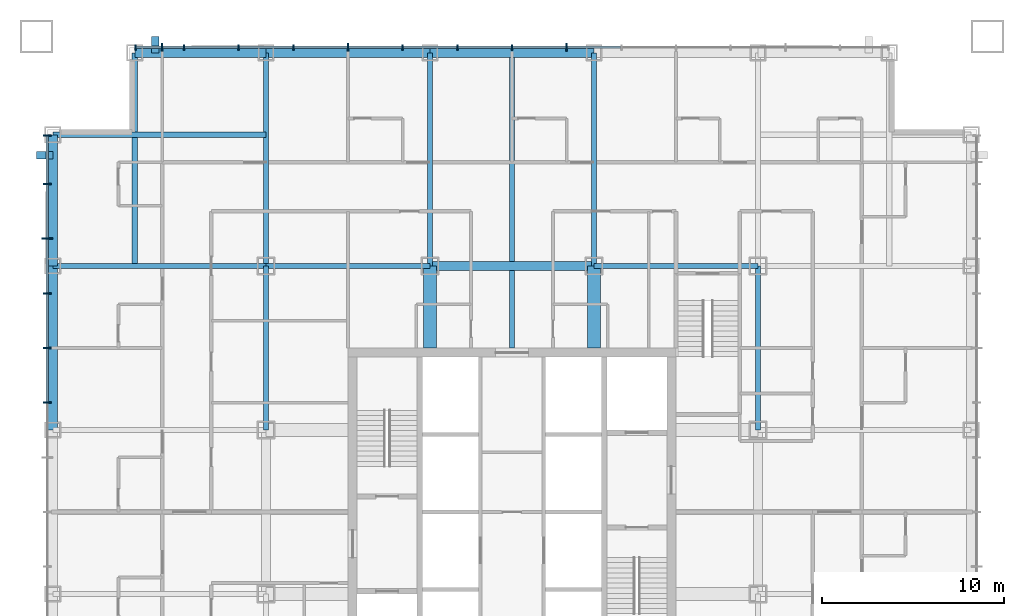
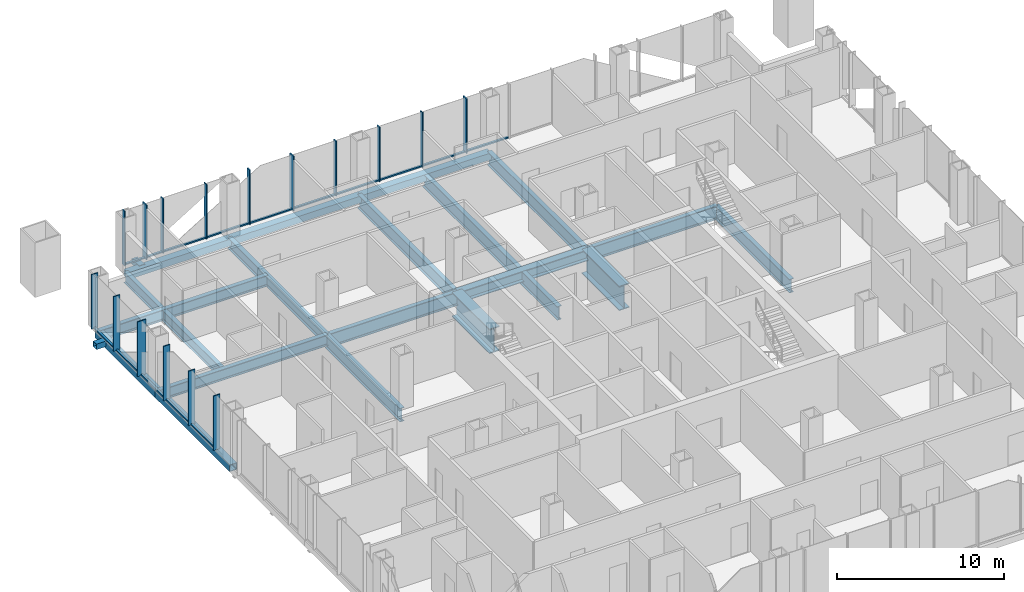
# One storey, part 4 of 13: 33 members, 19 beams, 2 elements without a shape of their own.
"""IFC4 building model written with IfcOpenShell, lengths in metres."""

from ifc_helpers import new_model, si_unit, direction, frame, origin, origin_2d, place, context, subcontext, project, spatial, rectangle, hollow_rectangle, i_section, extrude, material, layer, layer_set, material_profile, profile_set, type_object, element, aggregate, save


model = new_model("IFC4")

# Units and contexts
model_context = context("Model", 3, precision=1e-05, world=origin(), true_north=direction((0.0, 1.0)))
body_context = subcontext(model_context, "Body", "Model", "MODEL_VIEW")
ifc_project = project(units=[si_unit("LENGTHUNIT", "METRE"), si_unit("AREAUNIT", "SQUARE_METRE"), si_unit("VOLUMEUNIT", "CUBIC_METRE"), si_unit("PLANEANGLEUNIT", "RADIAN"), si_unit("MASSUNIT", "GRAM", prefix="KILO")], contexts=[model_context])

# Site, building, storey
site_placement = place(None, origin())
site = spatial("IfcSite", under=ifc_project, at=site_placement, CompositionType="ELEMENT")
building_placement = place(site_placement, origin())
building = spatial("IfcBuilding", under=site, at=building_placement, Name="Malebo Sky Hospital", CompositionType="ELEMENT")
storey_placement = place(building_placement, frame((0.0, 0.0, 67.0)))
storey = spatial("IfcBuildingStorey", under=building, at=storey_placement, Name="L15", CompositionType="ELEMENT", Elevation=67.0)

# Curtain wall, members
ifc_material_1 = material(Name="Anodised aluminium, natural silver", Category="aluminium")
ifc_layer_1 = layer(ifc_material_1, 0.25)
ifc_layer_set_1 = layer_set([ifc_layer_1], Name="WARD CURTAIN WALL NORTH AND SOUTH")
curtain_wall_type_1 = type_object("IfcCurtainWallType", Name="WARD CURTAIN WALL NORTH AND SOUTH", PredefinedType="NOTDEFINED", material=ifc_layer_set_1)
curtain_wall_1_placement = place(storey_placement, origin())
curtain_wall_1 = element("IfcCurtainWall", 1, at=curtain_wall_1_placement, inside=storey, type_object=curtain_wall_type_1, Name="NS curtain wall N", PredefinedType="NOTDEFINED")
ifc_material_profile_1 = material_profile(ifc_material_1, rectangle(XDim=0.14990234375, YDim=0.10009765625, at=origin_2d()), Name="ALUMINIUM TRANSOM 150x100")
ifc_profile_set_1 = profile_set([ifc_material_profile_1], Name="Anodised aluminium, natural silver")
member_type_1 = type_object("IfcMemberType", Name="ALUMINIUM TRANSOM 150x100", PredefinedType="USERDEFINED", material=ifc_profile_set_1)
member_1_placement = place(storey_placement, frame((39.375, 87.5, 0.050048828125), z_axis=(1.0, 0.0, 0.0), x_axis=(0.0, 1.0, 0.0)))
member_1 = element("IfcMember", 2, at=member_1_placement, type_object=member_type_1, Name="Transom 1", ObjectType="TRANSOM", PredefinedType="USERDEFINED", context=body_context, shape_type="SweptSolid", body=[
    extrude(rectangle(XDim=0.14990234375, YDim=0.10009765625, at=origin_2d()), origin(), (0.0, 0.0, 1.0), 1.387451171875),
])
member_2_placement = place(storey_placement, frame((40.83740234375, 87.5, 0.050048828125), z_axis=(1.0, 0.0, 0.0), x_axis=(0.0, 1.0, 0.0)))
member_2 = element("IfcMember", 3, at=member_2_placement, type_object=member_type_1, Name="Transom 2", ObjectType="TRANSOM", PredefinedType="USERDEFINED", context=body_context, shape_type="SweptSolid", body=[
    extrude(rectangle(XDim=0.14990234375, YDim=0.10009765625, at=origin_2d()), origin(), (0.0, 0.0, 1.0), 1.125),
])
member_3_placement = place(storey_placement, frame((42.03759765625, 87.5, 0.050048828125), z_axis=(1.0, 0.0, 0.0), x_axis=(0.0, 1.0, 0.0)))
member_3 = element("IfcMember", 4, at=member_3_placement, type_object=member_type_1, Name="Transom 3", ObjectType="TRANSOM", PredefinedType="USERDEFINED", context=body_context, shape_type="SweptSolid", body=[
    extrude(rectangle(XDim=0.14990234375, YDim=0.10009765625, at=origin_2d()), origin(), (0.0, 0.0, 1.0), 2.9248046875),
])
member_4_placement = place(storey_placement, frame((45.03759765625, 87.5, 0.050048828125), z_axis=(1.0, 0.0, 0.0), x_axis=(0.0, 1.0, 0.0)))
member_4 = element("IfcMember", 5, at=member_4_placement, type_object=member_type_1, Name="Transom 4", ObjectType="TRANSOM", PredefinedType="USERDEFINED", context=body_context, shape_type="SweptSolid", body=[
    extrude(rectangle(XDim=0.14990234375, YDim=0.10009765625, at=origin_2d()), origin(), (0.0, 0.0, 1.0), 2.9248046875),
])
member_5_placement = place(storey_placement, frame((48.03759765625, 87.5, 0.050048828125), z_axis=(1.0, 0.0, 0.0), x_axis=(0.0, 1.0, 0.0)))
member_5 = element("IfcMember", 6, at=member_5_placement, type_object=member_type_1, Name="Transom 5", ObjectType="TRANSOM", PredefinedType="USERDEFINED", context=body_context, shape_type="SweptSolid", body=[
    extrude(rectangle(XDim=0.14990234375, YDim=0.10009765625, at=origin_2d()), origin(), (0.0, 0.0, 1.0), 2.9248046875),
])
member_6_placement = place(storey_placement, frame((51.03759765625, 87.5, 0.050048828125), z_axis=(1.0, 0.0, 0.0), x_axis=(0.0, 1.0, 0.0)))
member_6 = element("IfcMember", 7, at=member_6_placement, type_object=member_type_1, Name="Transom 6", ObjectType="TRANSOM", PredefinedType="USERDEFINED", context=body_context, shape_type="SweptSolid", body=[
    extrude(rectangle(XDim=0.14990234375, YDim=0.10009765625, at=origin_2d()), origin(), (0.0, 0.0, 1.0), 2.9248046875),
])
member_7_placement = place(storey_placement, frame((54.03759765625, 87.5, 0.050048828125), z_axis=(1.0, 0.0, 0.0), x_axis=(0.0, 1.0, 0.0)))
member_7 = element("IfcMember", 8, at=member_7_placement, type_object=member_type_1, Name="Transom 7", ObjectType="TRANSOM", PredefinedType="USERDEFINED", context=body_context, shape_type="SweptSolid", body=[
    extrude(rectangle(XDim=0.14990234375, YDim=0.10009765625, at=origin_2d()), origin(), (0.0, 0.0, 1.0), 2.9248046875),
])
member_8_placement = place(storey_placement, frame((57.03759765625, 87.5, 0.050048828125), z_axis=(1.0, 0.0, 0.0), x_axis=(0.0, 1.0, 0.0)))
member_8 = element("IfcMember", 9, at=member_8_placement, type_object=member_type_1, Name="Transom 8", ObjectType="TRANSOM", PredefinedType="USERDEFINED", context=body_context, shape_type="SweptSolid", body=[
    extrude(rectangle(XDim=0.14990234375, YDim=0.10009765625, at=origin_2d()), origin(), (0.0, 0.0, 1.0), 2.9248046875),
])
member_9_placement = place(storey_placement, frame((60.03759765625, 87.5, 0.050048828125), z_axis=(1.0, 0.0, 0.0), x_axis=(0.0, 1.0, 0.0)))
member_9 = element("IfcMember", 10, at=member_9_placement, type_object=member_type_1, Name="Transom 9", ObjectType="TRANSOM", PredefinedType="USERDEFINED", context=body_context, shape_type="SweptSolid", body=[
    extrude(rectangle(XDim=0.14990234375, YDim=0.10009765625, at=origin_2d()), origin(), (0.0, 0.0, 1.0), 2.9248046875),
])
member_10_placement = place(storey_placement, frame((63.03759765625, 87.5, 0.050048828125), z_axis=(1.0, 0.0, 0.0), x_axis=(0.0, 1.0, 0.0)))
member_10 = element("IfcMember", 11, at=member_10_placement, type_object=member_type_1, Name="Transom 10", ObjectType="TRANSOM", PredefinedType="USERDEFINED", context=body_context, shape_type="SweptSolid", body=[
    extrude(rectangle(XDim=0.14990234375, YDim=0.10009765625, at=origin_2d()), origin(), (0.0, 0.0, 1.0), 2.9248046875),
])

ifc_layer_2 = layer(ifc_material_1, 0.25)
ifc_layer_set_2 = layer_set([ifc_layer_2], Name="WARD CURTAIN WALL EAST AND WEST")
curtain_wall_type_2 = type_object("IfcCurtainWallType", Name="WARD CURTAIN WALL EAST AND WEST", PredefinedType="NOTDEFINED", material=ifc_layer_set_2)
curtain_wall_2_placement = place(storey_placement, origin())
curtain_wall_2 = element("IfcCurtainWall", 12, at=curtain_wall_2_placement, inside=storey, type_object=curtain_wall_type_2, Name="EW curtain wall W", PredefinedType="NOTDEFINED")
member_11_placement = place(storey_placement, frame((34.5, 68.03759765625, 0.050048828125), z_axis=(0.0, 1.0, 0.0), x_axis=(-1.0, 0.0, 0.0)))
member_11 = element("IfcMember", 13, at=member_11_placement, type_object=member_type_1, Name="Transom 11", ObjectType="TRANSOM", PredefinedType="USERDEFINED", context=body_context, shape_type="SweptSolid", body=[
    extrude(rectangle(XDim=0.14990234375, YDim=0.10009765625, at=origin_2d()), origin(), (0.0, 0.0, 1.0), 2.9248046875),
])
member_12_placement = place(storey_placement, frame((34.5, 71.03759765625, 0.050048828125), z_axis=(0.0, 1.0, 0.0), x_axis=(-1.0, 0.0, 0.0)))
member_12 = element("IfcMember", 14, at=member_12_placement, type_object=member_type_1, Name="Transom 12", ObjectType="TRANSOM", PredefinedType="USERDEFINED", context=body_context, shape_type="SweptSolid", body=[
    extrude(rectangle(XDim=0.14990234375, YDim=0.10009765625, at=origin_2d()), origin(), (0.0, 0.0, 1.0), 2.9248046875),
])
member_13_placement = place(storey_placement, frame((34.5, 74.03759765625, 0.050048828125), z_axis=(0.0, 1.0, 0.0), x_axis=(-1.0, 0.0, 0.0)))
member_13 = element("IfcMember", 15, at=member_13_placement, type_object=member_type_1, Name="Transom 13", ObjectType="TRANSOM", PredefinedType="USERDEFINED", context=body_context, shape_type="SweptSolid", body=[
    extrude(rectangle(XDim=0.14990234375, YDim=0.10009765625, at=origin_2d()), origin(), (0.0, 0.0, 1.0), 2.9248046875),
])
member_14_placement = place(storey_placement, frame((34.5, 77.03759765625, 0.050048828125), z_axis=(0.0, 1.0, 0.0), x_axis=(-1.0, 0.0, 0.0)))
member_14 = element("IfcMember", 16, at=member_14_placement, type_object=member_type_1, Name="Transom 14", ObjectType="TRANSOM", PredefinedType="USERDEFINED", context=body_context, shape_type="SweptSolid", body=[
    extrude(rectangle(XDim=0.14990234375, YDim=0.10009765625, at=origin_2d()), origin(), (0.0, 0.0, 1.0), 2.9248046875),
])
member_15_placement = place(storey_placement, frame((34.5, 80.03759765625, 0.050048828125), z_axis=(0.0, 1.0, 0.0), x_axis=(-1.0, 0.0, 0.0)))
member_15 = element("IfcMember", 17, at=member_15_placement, type_object=member_type_1, Name="Transom 15", ObjectType="TRANSOM", PredefinedType="USERDEFINED", context=body_context, shape_type="SweptSolid", body=[
    extrude(rectangle(XDim=0.14990234375, YDim=0.10009765625, at=origin_2d()), origin(), (0.0, 0.0, 1.0), 2.58740234375),
])

# Members
ifc_material_2 = material(Name="Steel S355", Category="steel")
ifc_material_profile_2 = material_profile(ifc_material_2, hollow_rectangle(XDim=0.39990234375, YDim=0.39990234375, WallThickness=0.02001953125, at=origin_2d()), Name="SHS 400x20")
ifc_profile_set_2 = profile_set([ifc_material_profile_2], Name="Steel S355")
member_type_2 = type_object("IfcMemberType", Name="BRACE STRUT SHS 400x20", PredefinedType="STRUT", material=ifc_profile_set_2)
for number, where, z_axis, x_axis, name in (
    (18, (40.425048828125, 88.10009765625, -0.39990234375), (0.0, -1.0, 0.0), (1.0, 0.0, 0.0), "Brace strut AN2 L15"),
    (19, (33.89990234375, 81.574951171875, -0.39990234375), (1.0, 0.0, 0.0), (0.0, 1.0, 0.0), "Brace strut AW1 L15"),
):
    element("IfcMember", number, at=place(storey_placement, frame(where, z_axis=z_axis, x_axis=x_axis)), inside=storey, type_object=member_type_2, Name=name, PredefinedType="STRUT", context=body_context, shape_type="SweptSolid", body=[
        extrude(hollow_rectangle(XDim=0.39990234375, YDim=0.39990234375, WallThickness=0.02001953125, at=origin_2d()), origin(), (0.0, 0.0, 1.0), 0.900146484375),
    ])

# Member
ifc_material_profile_3 = material_profile(ifc_material_1, rectangle(XDim=0.074951171875, YDim=0.300048828125, at=origin_2d()), Name="CW1 ALUMINIUM FIN MULLION 75x300")
ifc_profile_set_3 = profile_set([ifc_material_profile_3], Name="Anodised aluminium, natural silver")
member_type_3 = type_object("IfcMemberType", Name="CW1 ALUMINIUM FIN MULLION 75x300", PredefinedType="MULLION", material=ifc_profile_set_3)
member_16_placement = place(storey_placement, frame((39.33740234375, 87.5, 0.0), z_axis=(0.0, 0.0, 1.0), x_axis=(1.0, 0.0, 0.0)))
member_16 = element("IfcMember", 20, at=member_16_placement, type_object=member_type_3, Name="Fin mullion 1", PredefinedType="MULLION", context=body_context, shape_type="SweptSolid", body=[
    extrude(rectangle(XDim=0.074951171875, YDim=0.300048828125, at=origin_2d()), origin(), (0.0, 0.0, 1.0), 4.0),
])

member_17_placement = place(storey_placement, frame((42.0, 87.5, 0.0), z_axis=(0.0, 0.0, 1.0), x_axis=(1.0, 0.0, 0.0)))
member_17 = element("IfcMember", 21, at=member_17_placement, type_object=member_type_3, Name="Fin mullion 3", PredefinedType="MULLION", context=body_context, shape_type="SweptSolid", body=[
    extrude(rectangle(XDim=0.074951171875, YDim=0.300048828125, at=origin_2d()), origin(), (0.0, 0.0, 1.0), 4.0),
])

member_18_placement = place(storey_placement, frame((45.0, 87.5, 0.0), z_axis=(0.0, 0.0, 1.0), x_axis=(1.0, 0.0, 0.0)))
member_18 = element("IfcMember", 22, at=member_18_placement, type_object=member_type_3, Name="Fin mullion 4", PredefinedType="MULLION", context=body_context, shape_type="SweptSolid", body=[
    extrude(rectangle(XDim=0.074951171875, YDim=0.300048828125, at=origin_2d()), origin(), (0.0, 0.0, 1.0), 4.0),
])

member_19_placement = place(storey_placement, frame((48.0, 87.5, 0.0), z_axis=(0.0, 0.0, 1.0), x_axis=(1.0, 0.0, 0.0)))
member_19 = element("IfcMember", 23, at=member_19_placement, type_object=member_type_3, Name="Fin mullion 5", PredefinedType="MULLION", context=body_context, shape_type="SweptSolid", body=[
    extrude(rectangle(XDim=0.074951171875, YDim=0.300048828125, at=origin_2d()), origin(), (0.0, 0.0, 1.0), 4.0),
])

member_20_placement = place(storey_placement, frame((54.0, 87.5, 0.0), z_axis=(0.0, 0.0, 1.0), x_axis=(1.0, 0.0, 0.0)))
member_20 = element("IfcMember", 24, at=member_20_placement, type_object=member_type_3, Name="Fin mullion 7", PredefinedType="MULLION", context=body_context, shape_type="SweptSolid", body=[
    extrude(rectangle(XDim=0.074951171875, YDim=0.300048828125, at=origin_2d()), origin(), (0.0, 0.0, 1.0), 4.0),
])

member_21_placement = place(storey_placement, frame((57.0, 87.5, 0.0), z_axis=(0.0, 0.0, 1.0), x_axis=(1.0, 0.0, 0.0)))
member_21 = element("IfcMember", 25, at=member_21_placement, type_object=member_type_3, Name="Fin mullion 8", PredefinedType="MULLION", context=body_context, shape_type="SweptSolid", body=[
    extrude(rectangle(XDim=0.074951171875, YDim=0.300048828125, at=origin_2d()), origin(), (0.0, 0.0, 1.0), 4.0),
])

member_22_placement = place(storey_placement, frame((60.0, 87.5, 0.0), z_axis=(0.0, 0.0, 1.0), x_axis=(1.0, 0.0, 0.0)))
member_22 = element("IfcMember", 26, at=member_22_placement, type_object=member_type_3, Name="Fin mullion 9", PredefinedType="MULLION", context=body_context, shape_type="SweptSolid", body=[
    extrude(rectangle(XDim=0.074951171875, YDim=0.300048828125, at=origin_2d()), origin(), (0.0, 0.0, 1.0), 4.0),
])

ifc_material_profile_4 = material_profile(ifc_material_1, rectangle(XDim=0.074951171875, YDim=0.449951171875, at=origin_2d()), Name="CW1 ALUMINIUM FIN MULLION 75x450")
ifc_profile_set_4 = profile_set([ifc_material_profile_4], Name="Anodised aluminium, natural silver")
member_type_4 = type_object("IfcMemberType", Name="CW1 ALUMINIUM FIN MULLION 75x450", PredefinedType="MULLION", material=ifc_profile_set_4)
member_23_placement = place(storey_placement, frame((40.800048828125, 87.5, 0.0), z_axis=(0.0, 0.0, 1.0), x_axis=(1.0, 0.0, 0.0)))
member_23 = element("IfcMember", 27, at=member_23_placement, type_object=member_type_4, Name="Fin mullion 2", PredefinedType="MULLION", context=body_context, shape_type="SweptSolid", body=[
    extrude(rectangle(XDim=0.074951171875, YDim=0.449951171875, at=origin_2d()), origin(), (0.0, 0.0, 1.0), 4.0),
])

member_24_placement = place(storey_placement, frame((51.0, 87.5, 0.0), z_axis=(0.0, 0.0, 1.0), x_axis=(1.0, 0.0, 0.0)))
member_24 = element("IfcMember", 28, at=member_24_placement, type_object=member_type_4, Name="Fin mullion 6", PredefinedType="MULLION", context=body_context, shape_type="SweptSolid", body=[
    extrude(rectangle(XDim=0.074951171875, YDim=0.449951171875, at=origin_2d()), origin(), (0.0, 0.0, 1.0), 4.0),
])

member_25_placement = place(storey_placement, frame((63.0, 87.5, 0.0), z_axis=(0.0, 0.0, 1.0), x_axis=(1.0, 0.0, 0.0)))
member_25 = element("IfcMember", 29, at=member_25_placement, type_object=member_type_4, Name="Fin mullion 10", PredefinedType="MULLION", context=body_context, shape_type="SweptSolid", body=[
    extrude(rectangle(XDim=0.074951171875, YDim=0.449951171875, at=origin_2d()), origin(), (0.0, 0.0, 1.0), 4.0),
])

aggregate(curtain_wall_1, [member_16, member_23, member_17, member_18, member_19, member_24, member_20, member_21, member_22, member_25, member_1, member_2, member_3, member_4, member_5, member_6, member_7, member_8, member_9, member_10])

ifc_material_profile_5 = material_profile(ifc_material_1, rectangle(XDim=0.074951171875, YDim=0.449951171875, at=origin_2d()), Name="CW2 ALUMINIUM FIN MULLION 75x450")
ifc_profile_set_5 = profile_set([ifc_material_profile_5], Name="Anodised aluminium, natural silver")
member_type_5 = type_object("IfcMemberType", Name="CW2 ALUMINIUM FIN MULLION 75x450", PredefinedType="MULLION", material=ifc_profile_set_5)
member_26_placement = place(storey_placement, frame((34.5, 68.0, 0.0), z_axis=(0.0, 0.0, 1.0), x_axis=(0.0, 1.0, 0.0)))
member_26 = element("IfcMember", 30, at=member_26_placement, type_object=member_type_5, Name="Fin mullion 11", PredefinedType="MULLION", context=body_context, shape_type="SweptSolid", body=[
    extrude(rectangle(XDim=0.074951171875, YDim=0.449951171875, at=origin_2d()), origin(), (0.0, 0.0, 1.0), 4.0),
])

member_27_placement = place(storey_placement, frame((34.5, 71.0, 0.0), z_axis=(0.0, 0.0, 1.0), x_axis=(0.0, 1.0, 0.0)))
member_27 = element("IfcMember", 31, at=member_27_placement, type_object=member_type_5, Name="Fin mullion 12", PredefinedType="MULLION", context=body_context, shape_type="SweptSolid", body=[
    extrude(rectangle(XDim=0.074951171875, YDim=0.449951171875, at=origin_2d()), origin(), (0.0, 0.0, 1.0), 4.0),
])

member_28_placement = place(storey_placement, frame((34.5, 74.0, 0.0), z_axis=(0.0, 0.0, 1.0), x_axis=(0.0, 1.0, 0.0)))
member_28 = element("IfcMember", 32, at=member_28_placement, type_object=member_type_5, Name="Fin mullion 13", PredefinedType="MULLION", context=body_context, shape_type="SweptSolid", body=[
    extrude(rectangle(XDim=0.074951171875, YDim=0.449951171875, at=origin_2d()), origin(), (0.0, 0.0, 1.0), 4.0),
])

member_29_placement = place(storey_placement, frame((34.5, 80.0, 0.0), z_axis=(0.0, 0.0, 1.0), x_axis=(0.0, 1.0, 0.0)))
member_29 = element("IfcMember", 33, at=member_29_placement, type_object=member_type_5, Name="Fin mullion 15", PredefinedType="MULLION", context=body_context, shape_type="SweptSolid", body=[
    extrude(rectangle(XDim=0.074951171875, YDim=0.449951171875, at=origin_2d()), origin(), (0.0, 0.0, 1.0), 4.0),
])

member_30_placement = place(storey_placement, frame((34.5, 82.66259765625, 0.0), z_axis=(0.0, 0.0, 1.0), x_axis=(0.0, 1.0, 0.0)))
member_30 = element("IfcMember", 34, at=member_30_placement, type_object=member_type_5, Name="Fin mullion 16", PredefinedType="MULLION", context=body_context, shape_type="SweptSolid", body=[
    extrude(rectangle(XDim=0.074951171875, YDim=0.449951171875, at=origin_2d()), origin(), (0.0, 0.0, 1.0), 4.0),
])

ifc_material_profile_6 = material_profile(ifc_material_1, rectangle(XDim=0.074951171875, YDim=0.60009765625, at=origin_2d()), Name="CW2 ALUMINIUM FIN MULLION 75x600")
ifc_profile_set_6 = profile_set([ifc_material_profile_6], Name="Anodised aluminium, natural silver")
member_type_6 = type_object("IfcMemberType", Name="CW2 ALUMINIUM FIN MULLION 75x600", PredefinedType="MULLION", material=ifc_profile_set_6)
member_31_placement = place(storey_placement, frame((34.5, 77.0, 0.0), z_axis=(0.0, 0.0, 1.0), x_axis=(0.0, 1.0, 0.0)))
member_31 = element("IfcMember", 35, at=member_31_placement, type_object=member_type_6, Name="Fin mullion 14", PredefinedType="MULLION", context=body_context, shape_type="SweptSolid", body=[
    extrude(rectangle(XDim=0.074951171875, YDim=0.60009765625, at=origin_2d()), origin(), (0.0, 0.0, 1.0), 4.0),
])

aggregate(curtain_wall_2, [member_26, member_27, member_28, member_31, member_29, member_30, member_11, member_12, member_13, member_14, member_15])

# Beams
ifc_material_3 = material(Name="Steel S460", Category="steel")
ifc_material_profile_7 = material_profile(ifc_material_3, hollow_rectangle(XDim=0.5, YDim=0.5, WallThickness=0.030029296875, at=origin_2d()), Name="BOX 500x500x30")
ifc_profile_set_7 = profile_set([ifc_material_profile_7], Name="Steel S460")
beam_type_1 = type_object("IfcBeamType", Name="EDGE BEAM BOX 500x500x30", PredefinedType="BEAM", material=ifc_profile_set_7)
beam_1_placement = place(storey_placement, frame((34.800048828125, 66.5, -0.5), z_axis=(0.0, 1.0, 0.0), x_axis=(-1.0, 0.0, 0.0)))
element("IfcBeam", 36, at=beam_1_placement, inside=storey, type_object=beam_type_1, Name="Beam 003 L15", PredefinedType="BEAM", context=body_context, shape_type="SweptSolid", body=[
    extrude(hollow_rectangle(XDim=0.5, YDim=0.5, WallThickness=0.030029296875, at=origin_2d()), origin(), (0.0, 0.0, 1.0), 9.0),
])
for number, where, z_axis, x_axis, name in (
    (37, (34.800048828125, 75.5, -0.5), (0.0, 1.0, 0.0), (-1.0, 0.0, 0.0), "Beam 004 L15"),
    (38, (39.300048828125, 87.199951171875, -0.5), (1.0, 0.0, 0.0), (0.0, 1.0, 0.0), "Beam 063 L15"),
):
    element("IfcBeam", number, at=place(storey_placement, frame(where, z_axis=z_axis, x_axis=x_axis)), inside=storey, type_object=beam_type_1, Name=name, PredefinedType="BEAM", context=body_context, shape_type="SweptSolid", body=[
        extrude(hollow_rectangle(XDim=0.5, YDim=0.5, WallThickness=0.030029296875, at=origin_2d()), origin(), (0.0, 0.0, 1.0), 7.199951171875),
    ])
for number, where, z_axis, x_axis, name in (
    (39, (46.5, 87.199951171875, -0.5), (1.0, 0.0, 0.0), (0.0, 1.0, 0.0), "Beam 064 L15"),
    (40, (55.5, 87.199951171875, -0.5), (1.0, 0.0, 0.0), (0.0, 1.0, 0.0), "Beam 065 L15"),
):
    element("IfcBeam", number, at=place(storey_placement, frame(where, z_axis=z_axis, x_axis=x_axis)), inside=storey, type_object=beam_type_1, Name=name, PredefinedType="BEAM", context=body_context, shape_type="SweptSolid", body=[
        extrude(hollow_rectangle(XDim=0.5, YDim=0.5, WallThickness=0.030029296875, at=origin_2d()), origin(), (0.0, 0.0, 1.0), 9.0),
    ])
ifc_material_profile_8 = material_profile(ifc_material_2, i_section(OverallWidth=0.300048828125, OverallDepth=1.0, WebThickness=0.01904296875, FlangeThickness=0.035888671875, FilletRadius=0.030029296875, at=origin_2d()), Name="HEB 1000")
ifc_profile_set_8 = profile_set([ifc_material_profile_8], Name="Steel S355")
beam_type_2 = type_object("IfcBeamType", Name="FLOOR BEAM HEB 1000", PredefinedType="BEAM", material=ifc_profile_set_8)
beam_2_placement = place(storey_placement, frame((46.5, 66.5, -0.75), z_axis=(0.0, 1.0, 0.0), x_axis=(-1.0, 0.0, 0.0)))
element("IfcBeam", 41, at=beam_2_placement, inside=storey, type_object=beam_type_2, Name="Beam 010 L15", PredefinedType="BEAM", context=body_context, shape_type="SweptSolid", body=[
    extrude(i_section(OverallWidth=0.300048828125, OverallDepth=1.0, WebThickness=0.01904296875, FlangeThickness=0.035888671875, FilletRadius=0.030029296875, at=origin_2d()), origin(), (0.0, 0.0, 1.0), 9.0),
])
beam_3_placement = place(storey_placement, frame((55.5, 75.5, -0.75), z_axis=(0.0, 1.0, 0.0), x_axis=(-1.0, 0.0, 0.0)))
element("IfcBeam", 42, at=beam_3_placement, inside=storey, type_object=beam_type_2, Name="Beam 015 L15", PredefinedType="BEAM", context=body_context, shape_type="SweptSolid", body=[
    extrude(i_section(OverallWidth=0.300048828125, OverallDepth=1.0, WebThickness=0.01904296875, FlangeThickness=0.035888671875, FilletRadius=0.030029296875, at=origin_2d()), origin(), (0.0, 0.0, 1.0), 11.699951171875),
])
beam_4_placement = place(storey_placement, frame((60.0, 71.0, -0.75), z_axis=(0.0, 1.0, 0.0), x_axis=(-1.0, 0.0, 0.0)))
element("IfcBeam", 43, at=beam_4_placement, inside=storey, type_object=beam_type_2, Name="Beam 017 L15", PredefinedType="BEAM", context=body_context, shape_type="SweptSolid", body=[
    extrude(i_section(OverallWidth=0.300048828125, OverallDepth=1.0, WebThickness=0.01904296875, FlangeThickness=0.035888671875, FilletRadius=0.030029296875, at=origin_2d()), origin(), (0.0, 0.0, 1.0), 16.199951171875),
])
beam_5_placement = place(storey_placement, frame((64.5, 75.5, -0.75), z_axis=(0.0, 1.0, 0.0), x_axis=(-1.0, 0.0, 0.0)))
element("IfcBeam", 44, at=beam_5_placement, inside=storey, type_object=beam_type_2, Name="Beam 021 L15", PredefinedType="BEAM", context=body_context, shape_type="SweptSolid", body=[
    extrude(i_section(OverallWidth=0.300048828125, OverallDepth=1.0, WebThickness=0.01904296875, FlangeThickness=0.035888671875, FilletRadius=0.030029296875, at=origin_2d()), origin(), (0.0, 0.0, 1.0), 11.699951171875),
])
for number, where, z_axis, x_axis, name in (
    (45, (73.5, 66.5, -0.75), (0.0, 1.0, 0.0), (-1.0, 0.0, 0.0), "Beam 025 L15"),
    (46, (46.5, 75.5, -0.75), (1.0, 0.0, 0.0), (0.0, 1.0, 0.0), "Beam 057 L15"),
    (47, (64.5, 75.5, -0.75), (1.0, 0.0, 0.0), (0.0, 1.0, 0.0), "Beam 059 L15"),
):
    element("IfcBeam", number, at=place(storey_placement, frame(where, z_axis=z_axis, x_axis=x_axis)), inside=storey, type_object=beam_type_2, Name=name, PredefinedType="BEAM", context=body_context, shape_type="SweptSolid", body=[
        extrude(i_section(OverallWidth=0.300048828125, OverallDepth=1.0, WebThickness=0.01904296875, FlangeThickness=0.035888671875, FilletRadius=0.030029296875, at=origin_2d()), origin(), (0.0, 0.0, 1.0), 9.0),
    ])
ifc_material_profile_9 = material_profile(ifc_material_2, i_section(OverallWidth=0.300048828125, OverallDepth=0.800048828125, WebThickness=0.017578125, FlangeThickness=0.032958984375, FilletRadius=0.030029296875, at=origin_2d()), Name="HEB 800")
ifc_profile_set_9 = profile_set([ifc_material_profile_9], Name="Steel S355")
beam_type_3 = type_object("IfcBeamType", Name="FLOOR BEAM HEB 800", PredefinedType="BEAM", material=ifc_profile_set_9)
for number, where, z_axis, x_axis, name in (
    (48, (39.300048828125, 75.5, -0.64990234375), (0.0, 1.0, 0.0), (-1.0, 0.0, 0.0), "Beam 006 L15"),
    (49, (34.800048828125, 82.699951171875, -0.64990234375), (1.0, 0.0, 0.0), (0.0, 1.0, 0.0), "Beam 061 L15"),
):
    element("IfcBeam", number, at=place(storey_placement, frame(where, z_axis=z_axis, x_axis=x_axis)), inside=storey, type_object=beam_type_3, Name=name, PredefinedType="BEAM", context=body_context, shape_type="SweptSolid", body=[
        extrude(i_section(OverallWidth=0.300048828125, OverallDepth=0.800048828125, WebThickness=0.017578125, FlangeThickness=0.032958984375, FilletRadius=0.030029296875, at=origin_2d()), origin(), (0.0, 0.0, 1.0), 11.699951171875),
    ])
ifc_material_profile_10 = material_profile(ifc_material_2, i_section(OverallWidth=0.699951171875, OverallDepth=1.800048828125, WebThickness=0.034912109375, FlangeThickness=0.070068359375, at=origin_2d()), Name="PG 1800x700x35x70")
ifc_profile_set_10 = profile_set([ifc_material_profile_10], Name="Steel S355")
beam_type_4 = type_object("IfcBeamType", Name="FLOOR BEAM PG 1800x700x35x70", PredefinedType="BEAM", material=ifc_profile_set_10)
for number, where, z_axis, x_axis, name in (
    (50, (55.5, 71.0, -1.14990234375), (0.0, 1.0, 0.0), (-1.0, 0.0, 0.0), "Beam 014 L15"),
    (51, (64.5, 71.0, -1.14990234375), (0.0, 1.0, 0.0), (-1.0, 0.0, 0.0), "Beam 020 L15"),
):
    element("IfcBeam", number, at=place(storey_placement, frame(where, z_axis=z_axis, x_axis=x_axis)), inside=storey, type_object=beam_type_4, Name=name, PredefinedType="BEAM", context=body_context, shape_type="SweptSolid", body=[
        extrude(i_section(OverallWidth=0.699951171875, OverallDepth=1.800048828125, WebThickness=0.034912109375, FlangeThickness=0.070068359375, at=origin_2d()), origin(), (0.0, 0.0, 1.0), 4.5),
    ])
ifc_material_profile_11 = material_profile(ifc_material_2, i_section(OverallWidth=0.300048828125, OverallDepth=0.800048828125, WebThickness=0.017578125, FlangeThickness=0.032958984375, FilletRadius=0.030029296875, at=origin_2d()), Name="HEB 800")
ifc_profile_set_11 = profile_set([ifc_material_profile_11], Name="Steel S355")
beam_type_5 = type_object("IfcBeamType", Name="FLOOR GIRDER HEB 800", PredefinedType="BEAM", material=ifc_profile_set_11)
for number, where, z_axis, x_axis, name in (
    (52, (46.5, 75.5, -0.64990234375), (0.0, 1.0, 0.0), (-1.0, 0.0, 0.0), "Beam 011 L15"),
    (53, (34.800048828125, 75.5, -0.64990234375), (1.0, 0.0, 0.0), (0.0, 1.0, 0.0), "Beam 056 L15"),
):
    element("IfcBeam", number, at=place(storey_placement, frame(where, z_axis=z_axis, x_axis=x_axis)), inside=storey, type_object=beam_type_5, Name=name, PredefinedType="BEAM", context=body_context, shape_type="SweptSolid", body=[
        extrude(i_section(OverallWidth=0.300048828125, OverallDepth=0.800048828125, WebThickness=0.017578125, FlangeThickness=0.032958984375, FilletRadius=0.030029296875, at=origin_2d()), origin(), (0.0, 0.0, 1.0), 11.699951171875),
    ])
ifc_material_profile_12 = material_profile(ifc_material_2, i_section(OverallWidth=0.5, OverallDepth=0.800048828125, WebThickness=0.030029296875, FlangeThickness=0.050048828125, at=origin_2d()), Name="PG 800x500x30x50")
ifc_profile_set_12 = profile_set([ifc_material_profile_12], Name="Steel S355")
beam_type_6 = type_object("IfcBeamType", Name="RING GIRDER PG 800x500x30x50", PredefinedType="BEAM", material=ifc_profile_set_12)
beam_6_placement = place(storey_placement, frame((55.5, 75.5, -0.64990234375), z_axis=(1.0, 0.0, 0.0), x_axis=(0.0, 1.0, 0.0)))
element("IfcBeam", 54, at=beam_6_placement, inside=storey, type_object=beam_type_6, Name="Beam 058 L15", PredefinedType="BEAM", context=body_context, shape_type="SweptSolid", body=[
    extrude(i_section(OverallWidth=0.5, OverallDepth=0.800048828125, WebThickness=0.030029296875, FlangeThickness=0.050048828125, at=origin_2d()), origin(), (0.0, 0.0, 1.0), 9.0),
])

save(model, "model.ifc")
